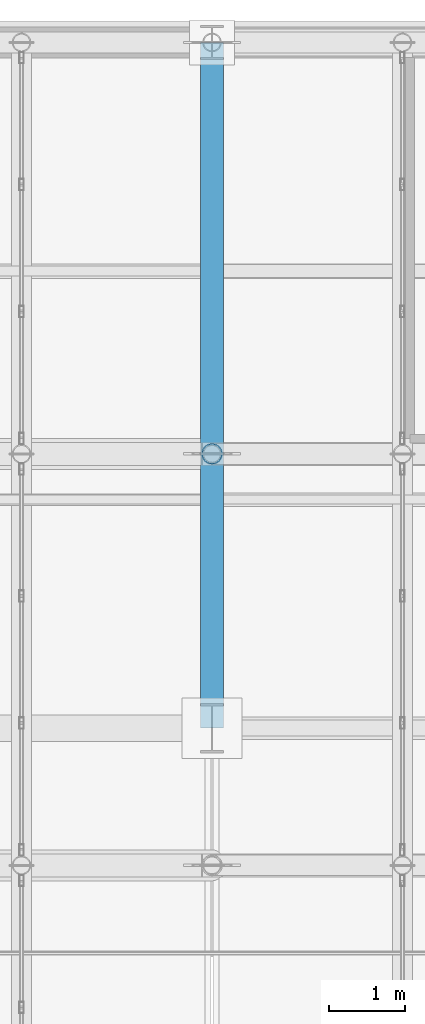
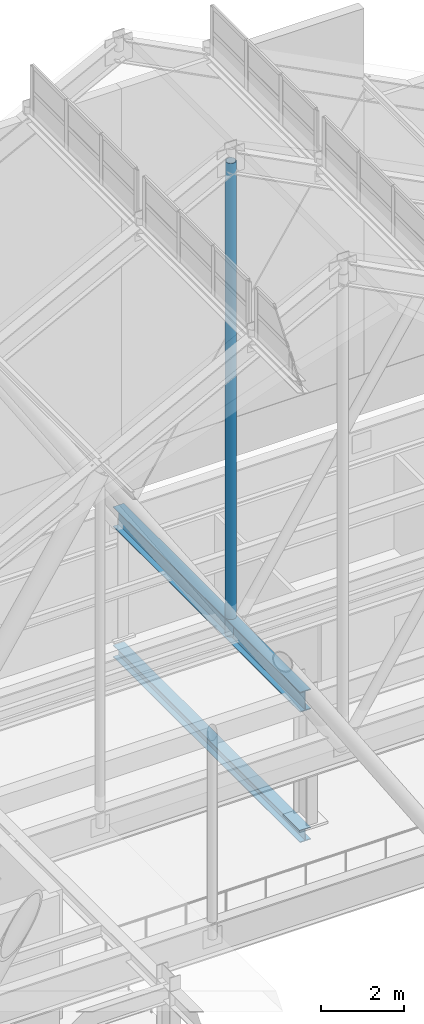
# One storey, part 58 of 84: 2 beams, 1 member.
"""IFC4 building model written with IfcOpenShell, lengths in metres."""

from ifc_helpers import new_model, si_unit, direction, frame, origin, origin_2d, place, context, subcontext, project, spatial, hollow_circle, i_section, extrude, material, material_profile, profile_set, type_object, element, save


model = new_model("IFC4")

# Units and contexts
model_context = context("Model", 3, precision=1e-05, world=origin(), true_north=direction((0.0, 1.0)))
body_context = subcontext(model_context, "Body", "Model", "MODEL_VIEW")
ifc_project = project(units=[si_unit("LENGTHUNIT", "METRE"), si_unit("AREAUNIT", "SQUARE_METRE"), si_unit("VOLUMEUNIT", "CUBIC_METRE"), si_unit("PLANEANGLEUNIT", "RADIAN"), si_unit("MASSUNIT", "GRAM", prefix="KILO")], contexts=[model_context])

# Site, building, storey
site_placement = place(None, origin())
site = spatial("IfcSite", under=ifc_project, at=site_placement, CompositionType="ELEMENT")
building_placement = place(site_placement, origin())
building = spatial("IfcBuilding", under=site, at=building_placement, Name="Sundgate Opera House", CompositionType="ELEMENT")
storey_placement = place(building_placement, frame((0.0, 0.0, 30.60009765625)))
storey = spatial("IfcBuildingStorey", under=building, at=storey_placement, Name="L06", CompositionType="ELEMENT", Elevation=30.60009765625)

# Beams
ifc_material_1 = material(Name="Steel S355J2", Category="steel")
ifc_material_profile_1 = material_profile(ifc_material_1, i_section(OverallWidth=0.300048828125, OverallDepth=0.590087890625, WebThickness=0.012939453125, FlangeThickness=0.02490234375, at=origin_2d()), Name="HEA 600")
ifc_profile_set_1 = profile_set([ifc_material_profile_1], Name="Steel S355J2")
beam_type_1 = type_object("IfcBeamType", Name="BM-GR-HEA600", PredefinedType="BEAM", material=ifc_profile_set_1)
beam_1_placement = place(storey_placement, frame((54.0, 78.0, 3.5048828125), z_axis=(0.0, 1.0, 0.0), x_axis=(-1.0, 0.0, 0.0)))
element("IfcBeam", 1, at=beam_1_placement, inside=storey, type_object=beam_type_1, Name="L06 Primary N-S Girder B3276", PredefinedType="BEAM", context=body_context, shape_type="SweptSolid", body=[
    extrude(i_section(OverallWidth=0.300048828125, OverallDepth=0.590087890625, WebThickness=0.012939453125, FlangeThickness=0.02490234375, at=origin_2d()), origin(), (0.0, 0.0, 1.0), 9.0),
])
ifc_material_2 = material(Name="Steel S355J2", Category="steel")
ifc_material_profile_2 = material_profile(ifc_material_2, i_section(OverallWidth=0.300048828125, OverallDepth=0.360107421875, WebThickness=0.012451171875, FlangeThickness=0.0224609375, at=origin_2d()), Name="HEB 360")
ifc_profile_set_2 = profile_set([ifc_material_profile_2], Name="Steel S355J2")
beam_type_2 = type_object("IfcBeamType", Name="BM-GR-HEB360", PredefinedType="BEAM", material=ifc_profile_set_2)
beam_2_placement = place(storey_placement, frame((54.0, 78.0, -0.440185546875), z_axis=(0.0, 1.0, 0.0), x_axis=(-1.0, 0.0, 0.0)))
element("IfcBeam", 2, at=beam_2_placement, inside=storey, type_object=beam_type_2, Name="L06 Primary N-S Girder B3201", PredefinedType="BEAM", context=body_context, shape_type="SweptSolid", body=[
    extrude(i_section(OverallWidth=0.300048828125, OverallDepth=0.360107421875, WebThickness=0.012451171875, FlangeThickness=0.0224609375, at=origin_2d()), origin(), (0.0, 0.0, 1.0), 9.0),
])

# Member
ifc_material_3 = material(Name="Steel S355J2", Category="steel")
ifc_material_profile_3 = material_profile(ifc_material_3, hollow_circle(Radius=0.136474609375, WallThickness=0.01611328125, at=origin_2d()), Name="CHS 273.0x16.0")
ifc_profile_set_3 = profile_set([ifc_material_profile_3], Name="Steel S355J2")
member_type = type_object("IfcMemberType", Name="MB-STRUT-CHS273", PredefinedType="STRUT", material=ifc_profile_set_3)
member_placement = place(storey_placement, frame((54.0, 81.60009765625, 3.289794921875), z_axis=(0.0, 0.0, 1.0), x_axis=(1.0, 0.0, 0.0)))
element("IfcMember", 3, at=member_placement, inside=storey, type_object=member_type, Name="L06 Fly-Tower Truss Vertical Post M0214", PredefinedType="STRUT", context=body_context, shape_type="SweptSolid", body=[
    extrude(hollow_circle(Radius=0.136474609375, WallThickness=0.01611328125, at=origin_2d()), origin(), (0.0, 0.0, 1.0), 13.91015625),
])

save(model, "model.ifc")
